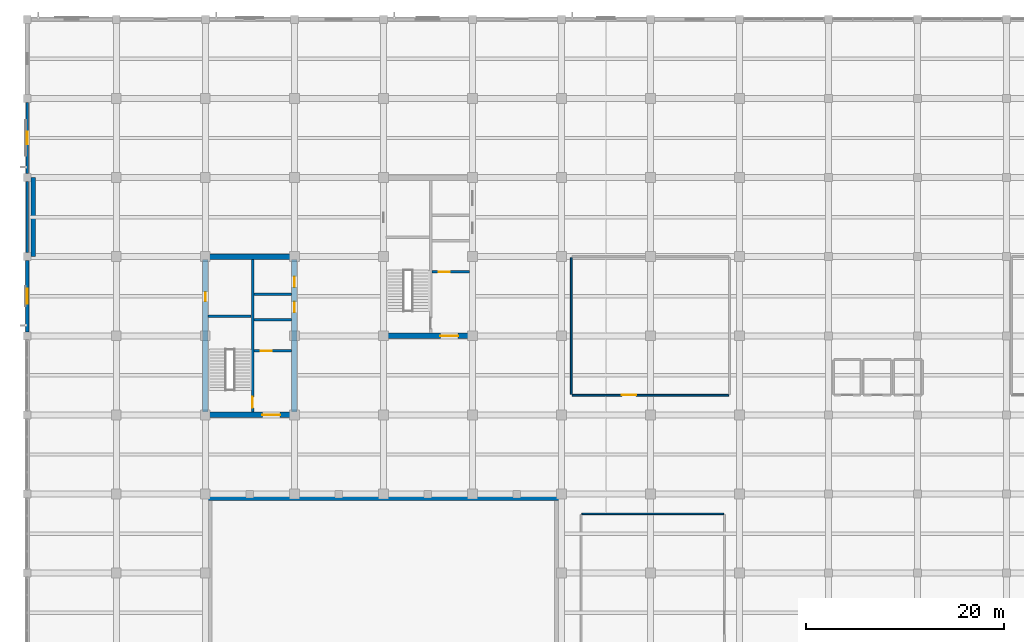
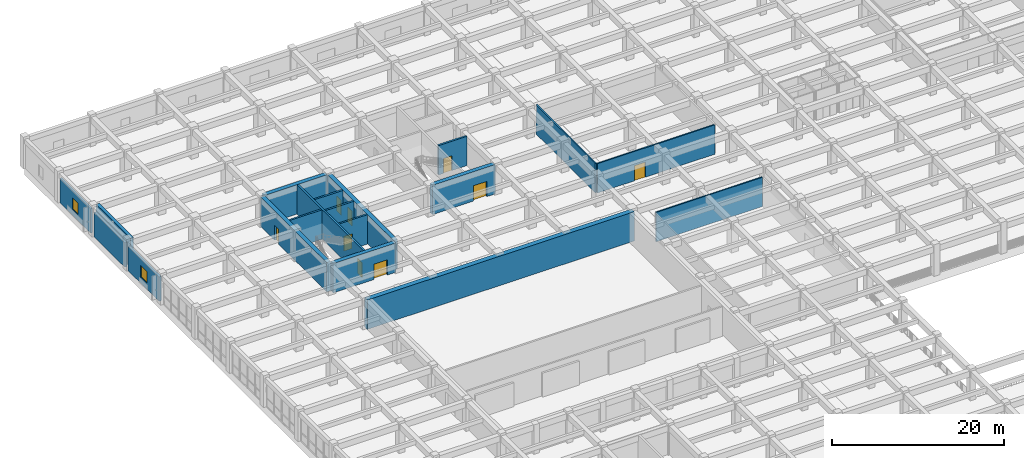
# One storey, part 29 of 50: 19 walls, 9 doors, 2 windows, 11 openings.
"""IFC4 building model written with IfcOpenShell, lengths in metres."""

from ifc_helpers import new_model, si_unit, direction, frame, frame_2d, origin, place, context, subcontext, project, spatial, rectangle, extrude, material, layer, layer_set, type_object, element, fill, save


model = new_model("IFC4")

# Units and contexts
model_context = context("Model", 3, precision=1e-05, world=origin(), true_north=direction((0.0, 1.0)))
body_context = subcontext(model_context, "Body", "Model", "MODEL_VIEW")
ifc_project = project(units=[si_unit("LENGTHUNIT", "METRE"), si_unit("AREAUNIT", "SQUARE_METRE"), si_unit("VOLUMEUNIT", "CUBIC_METRE"), si_unit("PLANEANGLEUNIT", "RADIAN"), si_unit("MASSUNIT", "GRAM", prefix="KILO")], contexts=[model_context])

# Site, building, storey
site_placement = place(None, origin())
site = spatial("IfcSite", under=ifc_project, at=site_placement, CompositionType="ELEMENT")
building_placement = place(site_placement, origin())
building = spatial("IfcBuilding", under=site, at=building_placement, Name="Zaverband Oceanarium and Marine Research Institute", CompositionType="ELEMENT")
storey_placement = place(building_placement, frame((0.0, 0.0, 4.5)))
storey = spatial("IfcBuildingStorey", under=building, at=storey_placement, Name="L01", CompositionType="ELEMENT", Elevation=4.5)

# Wall, opening, door
ifc_material_1 = material(Name="Concrete C50/60", Category="concrete")
ifc_layer_1 = layer(ifc_material_1, 0.550048828125, Name="Concrete C50/60")
ifc_layer_set_1 = layer_set([ifc_layer_1], Name="Concrete C50/60")
wall_type_1 = type_object("IfcWallType", Name="CW-01", PredefinedType="SHEAR", material=ifc_layer_set_1)
wall_1_placement = place(storey_placement, frame((18.27490234375, 80.0, 0.0), z_axis=(0.0, 0.0, 1.0), x_axis=(1.0, 0.0, 0.0)))
wall_1 = element("IfcWall", 1, at=wall_1_placement, inside=storey, type_object=wall_type_1, Name="Structural shear wall CW-01", PredefinedType="SHEAR", context=body_context, shape_type="SweptSolid", body=[
    extrude(rectangle(XDim=8.4501953125, YDim=0.550048828125, at=frame_2d((4.22509765625, 0.0))), origin(), (0.0, 0.0, 1.0), 4.179931640625),
])
opening_1_placement = place(wall_1_placement, frame((5.5, 0.0, 0.0)))
opening_1 = element("IfcOpeningElement", 2, at=opening_1_placement, cuts=wall_1, Name="Opening FD-02", PredefinedType="OPENING", context=body_context, shape_type="SweptSolid", body=[
    extrude(rectangle(XDim=1.800048828125, YDim=2.179931640625, at=frame_2d((0.89990234375, 1.08984375))), frame((0.0, 0.287109375, 0.0), z_axis=(0.0, -1.0, 0.0), x_axis=(1.0, 0.0, 0.0)), (0.0, 0.0, 1.0), 0.573974609375),
])
ifc_material_2 = material(Name="Steel S355", Category="steel")
door_type_1 = type_object("IfcDoorType", Name="FD-02", OperationType="DOUBLE_DOOR_SINGLE_SWING", PredefinedType="DOOR", material=ifc_material_2)
door_1_placement = place(opening_1_placement, origin())
door_1 = element("IfcDoor", 3, at=door_1_placement, inside=storey, type_object=door_type_1, Name="Protected lobby double fire door FD-02", OperationType="DOUBLE_DOOR_SINGLE_SWING", OverallHeight=2.179931640625, OverallWidth=1.800048828125, PredefinedType="DOOR", context=body_context, shape_type="SweptSolid", body=[
    extrude(rectangle(XDim=1.800048828125, YDim=2.179931640625, at=frame_2d((0.89990234375, 1.08984375))), frame((0.0, 0.02490234375, 0.0), z_axis=(0.0, -1.0, 0.0), x_axis=(1.0, 0.0, 0.0)), (0.0, 0.0, 1.0), 0.050048828125),
])
fill(opening_1, door_1)

# Wall
wall_2_placement = place(storey_placement, frame((18.27490234375, 96.0, 0.0), z_axis=(0.0, 0.0, 1.0), x_axis=(1.0, 0.0, 0.0)))
element("IfcWall", 4, at=wall_2_placement, inside=storey, type_object=wall_type_1, Name="Structural shear wall CW-01", PredefinedType="SHEAR", context=body_context, shape_type="SweptSolid", body=[
    extrude(rectangle(XDim=8.4501953125, YDim=0.550048828125, at=frame_2d((4.22509765625, 0.0))), origin(), (0.0, 0.0, 1.0), 4.179931640625),
])

# Wall, opening, door
wall_3_placement = place(storey_placement, frame((18.0, 80.27490234375, 0.0), z_axis=(0.0, 0.0, 1.0), x_axis=(0.0, 1.0, 0.0)))
wall_3 = element("IfcWall", 5, at=wall_3_placement, inside=storey, type_object=wall_type_1, Name="Structural shear wall CW-01", PredefinedType="SHEAR", context=body_context, shape_type="SweptSolid", body=[
    extrude(rectangle(XDim=15.4501953125, YDim=0.550048828125, at=frame_2d((7.72509765625, 0.0))), origin(), (0.0, 0.0, 1.0), 4.179931640625),
])
opening_2_placement = place(wall_3_placement, frame((11.199951171875, 0.0, 0.0)))
opening_2 = element("IfcOpeningElement", 6, at=opening_2_placement, cuts=wall_3, Name="Opening FD-03", PredefinedType="OPENING", context=body_context, shape_type="SweptSolid", body=[
    extrude(rectangle(XDim=0.949951171875, YDim=2.10009765625, at=frame_2d((0.47509765625, 1.050048828125))), frame((0.0, 0.287109375, 0.0), z_axis=(0.0, -1.0, 0.0), x_axis=(1.0, 0.0, 0.0)), (0.0, 0.0, 1.0), 0.573974609375),
])
door_type_2 = type_object("IfcDoorType", Name="FD-03", OperationType="NOTDEFINED", PredefinedType="DOOR", material=ifc_material_2)
door_2_placement = place(opening_2_placement, origin())
door_2 = element("IfcDoor", 7, at=door_2_placement, inside=storey, type_object=door_type_2, Name="Service riser access fire door FD-03", OperationType="SINGLE_SWING_RIGHT", OverallHeight=2.10009765625, OverallWidth=0.949951171875, PredefinedType="DOOR", context=body_context, shape_type="SweptSolid", body=[
    extrude(rectangle(XDim=0.949951171875, YDim=2.10009765625, at=frame_2d((0.47509765625, 1.050048828125))), frame((0.0, 0.02490234375, 0.0), z_axis=(0.0, -1.0, 0.0), x_axis=(1.0, 0.0, 0.0)), (0.0, 0.0, 1.0), 0.050048828125),
])
fill(opening_2, door_2)

# Wall, openings, doors
wall_4_placement = place(storey_placement, frame((27.0, 80.27490234375, 0.0), z_axis=(0.0, 0.0, 1.0), x_axis=(0.0, 1.0, 0.0)))
wall_4 = element("IfcWall", 8, at=wall_4_placement, inside=storey, type_object=wall_type_1, Name="Structural shear wall CW-01", PredefinedType="SHEAR", context=body_context, shape_type="SweptSolid", body=[
    extrude(rectangle(XDim=15.4501953125, YDim=0.550048828125, at=frame_2d((7.72509765625, 0.0))), origin(), (0.0, 0.0, 1.0), 4.179931640625),
])
opening_3_placement = place(wall_4_placement, frame((10.10009765625, 0.0, 0.0)))
opening_3 = element("IfcOpeningElement", 9, at=opening_3_placement, cuts=wall_4, Name="Opening LD-02", PredefinedType="OPENING", context=body_context, shape_type="SweptSolid", body=[
    extrude(rectangle(XDim=1.050048828125, YDim=2.1201171875, at=frame_2d((0.52490234375, 1.06005859375))), frame((0.0, 0.287109375, 0.0), z_axis=(0.0, -1.0, 0.0), x_axis=(1.0, 0.0, 0.0)), (0.0, 0.0, 1.0), 0.573974609375),
])
opening_4_placement = place(wall_4_placement, frame((12.64990234375, 0.0, 0.0)))
opening_4 = element("IfcOpeningElement", 10, at=opening_4_placement, cuts=wall_4, Name="Opening LD-02", PredefinedType="OPENING", context=body_context, shape_type="SweptSolid", body=[
    extrude(rectangle(XDim=1.050048828125, YDim=2.1201171875, at=frame_2d((0.52490234375, 1.06005859375))), frame((0.0, 0.287109375, 0.0), z_axis=(0.0, -1.0, 0.0), x_axis=(1.0, 0.0, 0.0)), (0.0, 0.0, 1.0), 0.573974609375),
])
door_type_3 = type_object("IfcDoorType", Name="LD-02", OperationType="DOUBLE_DOOR_SLIDING", PredefinedType="DOOR", material=ifc_material_2)
door_3_placement = place(opening_3_placement, origin())
door_3 = element("IfcDoor", 11, at=door_3_placement, inside=storey, type_object=door_type_3, Name="Passenger lift sliding landing door LD-02", OperationType="DOUBLE_DOOR_SLIDING", OverallHeight=2.1201171875, OverallWidth=1.050048828125, PredefinedType="DOOR", context=body_context, shape_type="SweptSolid", body=[
    extrude(rectangle(XDim=1.050048828125, YDim=2.1201171875, at=frame_2d((0.52490234375, 1.06005859375))), frame((0.0, 0.02490234375, 0.0), z_axis=(0.0, -1.0, 0.0), x_axis=(1.0, 0.0, 0.0)), (0.0, 0.0, 1.0), 0.050048828125),
])
fill(opening_3, door_3)
door_4_placement = place(opening_4_placement, origin())
door_4 = element("IfcDoor", 12, at=door_4_placement, inside=storey, type_object=door_type_3, Name="Passenger lift sliding landing door LD-02", OperationType="DOUBLE_DOOR_SLIDING", OverallHeight=2.1201171875, OverallWidth=1.050048828125, PredefinedType="DOOR", context=body_context, shape_type="SweptSolid", body=[
    extrude(rectangle(XDim=1.050048828125, YDim=2.1201171875, at=frame_2d((0.52490234375, 1.06005859375))), frame((0.0, 0.02490234375, 0.0), z_axis=(0.0, -1.0, 0.0), x_axis=(1.0, 0.0, 0.0)), (0.0, 0.0, 1.0), 0.050048828125),
])
fill(opening_4, door_4)

# Wall, opening, door
wall_5_placement = place(storey_placement, frame((36.27490234375, 88.0, 0.0), z_axis=(0.0, 0.0, 1.0), x_axis=(1.0, 0.0, 0.0)))
wall_5 = element("IfcWall", 13, at=wall_5_placement, inside=storey, type_object=wall_type_1, Name="Structural shear wall CW-01", PredefinedType="SHEAR", context=body_context, shape_type="SweptSolid", body=[
    extrude(rectangle(XDim=8.4501953125, YDim=0.550048828125, at=frame_2d((4.22509765625, 0.0))), origin(), (0.0, 0.0, 1.0), 4.179931640625),
])
opening_5_placement = place(wall_5_placement, frame((5.5, 0.0, 0.0)))
opening_5 = element("IfcOpeningElement", 14, at=opening_5_placement, cuts=wall_5, Name="Opening FD-02", PredefinedType="OPENING", context=body_context, shape_type="SweptSolid", body=[
    extrude(rectangle(XDim=1.800048828125, YDim=2.179931640625, at=frame_2d((0.89990234375, 1.08984375))), frame((0.0, 0.287109375, 0.0), z_axis=(0.0, -1.0, 0.0), x_axis=(1.0, 0.0, 0.0)), (0.0, 0.0, 1.0), 0.573974609375),
])
door_5_placement = place(opening_5_placement, origin())
door_5 = element("IfcDoor", 15, at=door_5_placement, inside=storey, type_object=door_type_1, Name="Protected lobby double fire door FD-02", OperationType="DOUBLE_DOOR_SINGLE_SWING", OverallHeight=2.179931640625, OverallWidth=1.800048828125, PredefinedType="DOOR", context=body_context, shape_type="SweptSolid", body=[
    extrude(rectangle(XDim=1.800048828125, YDim=2.179931640625, at=frame_2d((0.89990234375, 1.08984375))), frame((0.0, 0.02490234375, 0.0), z_axis=(0.0, -1.0, 0.0), x_axis=(1.0, 0.0, 0.0)), (0.0, 0.0, 1.0), 0.050048828125),
])
fill(opening_5, door_5)

# Wall, opening, window
ifc_material_3 = material(Name="Concrete C40/50 precast", Category="concrete")
ifc_layer_2 = layer(ifc_material_3, 0.264892578125, Name="Concrete C40/50 precast")
ifc_layer_set_2 = layer_set([ifc_layer_2], Name="Concrete C40/50 precast")
wall_type_2 = type_object("IfcWallType", Name="EW-265", PredefinedType="STANDARD", material=ifc_layer_set_2)
wall_6_placement = place(storey_placement, frame((0.0, 104.405029296875, 0.0), z_axis=(0.0, 0.0, 1.0), x_axis=(0.0, 1.0, 0.0)))
wall_6 = element("IfcWall", 16, at=wall_6_placement, inside=storey, type_object=wall_type_2, Name="Exterior infill wall EW-265", PredefinedType="STANDARD", context=body_context, shape_type="SweptSolid", body=[
    extrude(rectangle(XDim=7.18994140625, YDim=0.264892578125, at=frame_2d((3.594970703125, 0.0))), origin(), (0.0, 0.0, 1.0), 3.4599609375),
])
opening_6_placement = place(wall_6_placement, frame((2.945068359375, 0.0, 0.85009765625)))
opening_6 = element("IfcOpeningElement", 17, at=opening_6_placement, cuts=wall_6, Name="Opening WN-1300x1650", PredefinedType="OPENING", context=body_context, shape_type="SweptSolid", body=[
    extrude(rectangle(XDim=1.300048828125, YDim=1.64990234375, at=frame_2d((0.64990234375, 0.824951171875))), frame((0.0, 0.14453125, 0.0), z_axis=(0.0, -1.0, 0.0), x_axis=(1.0, 0.0, 0.0)), (0.0, 0.0, 1.0), 0.288818359375),
])
ifc_material_4 = material(Name="Thermally broken anodized aluminium and solar-control glass", Category="aluminium")
window_type_1 = type_object("IfcWindowType", Name="WN-1300x1650", PartitioningType="SINGLE_PANEL", PredefinedType="WINDOW", material=ifc_material_4)
window_1_placement = place(opening_6_placement, origin())
window_1 = element("IfcWindow", 18, at=window_1_placement, inside=storey, type_object=window_type_1, Name="Fixed / casement exterior window WN-1300x1650", OverallHeight=1.64990234375, OverallWidth=1.300048828125, PartitioningType="SINGLE_PANEL", PredefinedType="WINDOW", context=body_context, shape_type="SweptSolid", body=[
    extrude(rectangle(XDim=1.300048828125, YDim=1.64990234375, at=frame_2d((0.64990234375, 0.824951171875))), frame((0.0, 0.030029296875, 0.0), z_axis=(0.0, -1.0, 0.0), x_axis=(1.0, 0.0, 0.0)), (0.0, 0.0, 1.0), 0.06005859375),
])
fill(opening_6, window_1)

# Wall
ifc_layer_3 = layer(ifc_material_3, 0.2900390625, Name="Concrete C40/50 precast")
ifc_layer_set_3 = layer_set([ifc_layer_3], Name="Concrete C40/50 precast")
wall_type_3 = type_object("IfcWallType", Name="EW-290", PredefinedType="STANDARD", material=ifc_layer_set_3)
wall_7_placement = place(storey_placement, frame((0.0, 96.405029296875, 0.0), z_axis=(0.0, 0.0, 1.0), x_axis=(0.0, 1.0, 0.0)))
element("IfcWall", 19, at=wall_7_placement, inside=storey, type_object=wall_type_3, Name="Exterior infill wall EW-290", PredefinedType="STANDARD", context=body_context, shape_type="SweptSolid", body=[
    extrude(rectangle(XDim=7.18994140625, YDim=0.2900390625, at=frame_2d((3.594970703125, 0.0))), origin(), (0.0, 0.0, 1.0), 3.4599609375),
])

# Wall, opening, window
ifc_layer_4 = layer(ifc_material_3, 0.31005859375, Name="Concrete C40/50 precast")
ifc_layer_set_4 = layer_set([ifc_layer_4], Name="Concrete C40/50 precast")
wall_type_4 = type_object("IfcWallType", Name="EW-310", PredefinedType="STANDARD", material=ifc_layer_set_4)
wall_8_placement = place(storey_placement, frame((0.0, 88.405029296875, 0.0), z_axis=(0.0, 0.0, 1.0), x_axis=(0.0, 1.0, 0.0)))
wall_8 = element("IfcWall", 20, at=wall_8_placement, inside=storey, type_object=wall_type_4, Name="Exterior infill wall EW-310", PredefinedType="STANDARD", context=body_context, shape_type="SweptSolid", body=[
    extrude(rectangle(XDim=7.18994140625, YDim=0.31005859375, at=frame_2d((3.594970703125, 0.0))), origin(), (0.0, 0.0, 1.0), 3.4599609375),
])
opening_7_placement = place(wall_8_placement, frame((2.844970703125, 0.0, 0.85009765625)))
opening_7 = element("IfcOpeningElement", 21, at=opening_7_placement, cuts=wall_8, Name="Opening WN-1500x1650", PredefinedType="OPENING", context=body_context, shape_type="SweptSolid", body=[
    extrude(rectangle(XDim=1.5, YDim=1.64990234375, at=frame_2d((0.75, 0.824951171875))), frame((0.0, 0.1669921875, 0.0), z_axis=(0.0, -1.0, 0.0), x_axis=(1.0, 0.0, 0.0)), (0.0, 0.0, 1.0), 0.333984375),
])
window_type_2 = type_object("IfcWindowType", Name="WN-1500x1650", PartitioningType="SINGLE_PANEL", PredefinedType="WINDOW", material=ifc_material_4)
window_2_placement = place(opening_7_placement, origin())
window_2 = element("IfcWindow", 22, at=window_2_placement, inside=storey, type_object=window_type_2, Name="Fixed / casement exterior window WN-1500x1650", OverallHeight=1.64990234375, OverallWidth=1.5, PartitioningType="SINGLE_PANEL", PredefinedType="WINDOW", context=body_context, shape_type="SweptSolid", body=[
    extrude(rectangle(XDim=1.5, YDim=1.64990234375, at=frame_2d((0.75, 0.824951171875))), frame((0.0, 0.030029296875, 0.0), z_axis=(0.0, -1.0, 0.0), x_axis=(1.0, 0.0, 0.0)), (0.0, 0.0, 1.0), 0.06005859375),
])
fill(opening_7, window_2)

# Wall
ifc_material_5 = material(Name="Corridor rated drywall partition")
ifc_layer_5 = layer(ifc_material_5, 0.1650390625, Name="Corridor rated drywall partition")
ifc_layer_set_5 = layer_set([ifc_layer_5], Name="Corridor rated drywall partition")
wall_type_5 = type_object("IfcWallType", Name="PT-165-CR", PredefinedType="PARTITIONING", material=ifc_layer_set_5)
wall_9_placement = place(storey_placement, frame((56.08251953125, 70.0, 0.0), z_axis=(0.0, 0.0, 1.0), x_axis=(1.0, 0.0, 0.0)))
element("IfcWall", 23, at=wall_9_placement, inside=storey, type_object=wall_type_5, Name="Internal partition PT-165-CR", PredefinedType="PARTITIONING", context=body_context, shape_type="SweptSolid", body=[
    extrude(rectangle(XDim=14.3349609375, YDim=0.1650390625, at=frame_2d((7.16748046875, 0.0))), origin(), (0.0, 0.0, 1.0), 4.179931640625),
])

# Wall, opening, door
ifc_material_6 = material(Name="Moisture-resistant laboratory blockwork", Category="masonry")
ifc_layer_6 = layer(ifc_material_6, 0.179931640625, Name="Moisture-resistant laboratory blockwork")
ifc_layer_set_6 = layer_set([ifc_layer_6], Name="Moisture-resistant laboratory blockwork")
wall_type_6 = type_object("IfcWallType", Name="PT-180-LB", PredefinedType="PARTITIONING", material=ifc_layer_set_6)
wall_10_placement = place(storey_placement, frame((55.090087890625, 82.0, 0.0), z_axis=(0.0, 0.0, 1.0), x_axis=(1.0, 0.0, 0.0)))
wall_10 = element("IfcWall", 24, at=wall_10_placement, inside=storey, type_object=wall_type_6, Name="Internal partition PT-180-LB", PredefinedType="PARTITIONING", context=body_context, shape_type="SweptSolid", body=[
    extrude(rectangle(XDim=15.81982421875, YDim=0.179931640625, at=frame_2d((7.909912109375, 0.0))), origin(), (0.0, 0.0, 1.0), 4.179931640625),
])
opening_8_placement = place(wall_10_placement, frame((5.02587890625, 0.0, 0.0)))
opening_8 = element("IfcOpeningElement", 25, at=opening_8_placement, cuts=wall_10, Name="Opening ID-1460x2150", PredefinedType="OPENING", context=body_context, shape_type="SweptSolid", body=[
    extrude(rectangle(XDim=1.4599609375, YDim=2.14990234375, at=frame_2d((0.72998046875, 1.074951171875))), frame((0.0, 0.10205078125, 0.0), z_axis=(0.0, -1.0, 0.0), x_axis=(1.0, 0.0, 0.0)), (0.0, 0.0, 1.0), 0.203857421875),
])
ifc_material_7 = material(Name="Hardwood-veneered acoustic timber", Category="wood")
door_type_4 = type_object("IfcDoorType", Name="ID-1460x2150", OperationType="NOTDEFINED", PredefinedType="DOOR", material=ifc_material_7)
door_6_placement = place(opening_8_placement, origin())
door_6 = element("IfcDoor", 26, at=door_6_placement, inside=storey, type_object=door_type_4, Name="Wet laboratory leaf-and-a-half door ID-1460x2150", OperationType="SINGLE_SWING_RIGHT", OverallHeight=2.14990234375, OverallWidth=1.4599609375, PredefinedType="DOOR", context=body_context, shape_type="SweptSolid", body=[
    extrude(rectangle(XDim=1.4599609375, YDim=2.14990234375, at=frame_2d((0.72998046875, 1.074951171875))), frame((0.0, 0.02490234375, 0.0), z_axis=(0.0, -1.0, 0.0), x_axis=(1.0, 0.0, 0.0)), (0.0, 0.0, 1.0), 0.050048828125),
])
fill(opening_8, door_6)

# Wall
wall_11_placement = place(storey_placement, frame((55.0, 82.090087890625, 0.0), z_axis=(0.0, 0.0, 1.0), x_axis=(0.0, 1.0, 0.0)))
element("IfcWall", 27, at=wall_11_placement, inside=storey, type_object=wall_type_6, Name="Internal partition PT-180-LB", PredefinedType="PARTITIONING", context=body_context, shape_type="SweptSolid", body=[
    extrude(rectangle(XDim=13.81982421875, YDim=0.179931640625, at=frame_2d((6.909912109375, 0.0))), origin(), (0.0, 0.0, 1.0), 4.179931640625),
])

# Wall, opening, door
ifc_layer_7 = layer(ifc_material_1, 0.25, Name="Concrete C50/60")
ifc_layer_set_7 = layer_set([ifc_layer_7], Name="Concrete C50/60")
wall_type_7 = type_object("IfcWallType", Name="PW-CORE-250", PredefinedType="SOLIDWALL", material=ifc_layer_set_7)
wall_12_placement = place(storey_placement, frame((22.77490234375, 80.27490234375, 0.0), z_axis=(0.0, 0.0, 1.0), x_axis=(0.0, 1.0, 0.0)))
wall_12 = element("IfcWall", 28, at=wall_12_placement, inside=storey, type_object=wall_type_7, Name="Structural concrete wall PW-CORE-250", PredefinedType="SOLIDWALL", context=body_context, shape_type="SweptSolid", body=[
    extrude(rectangle(XDim=15.4501953125, YDim=0.25, at=frame_2d((7.72509765625, 0.0))), origin(), (0.0, 0.0, 1.0), 4.179931640625),
])
opening_9_placement = place(wall_12_placement, frame((0.449951171875, 0.0, 0.0)))
opening_9 = element("IfcOpeningElement", 29, at=opening_9_placement, cuts=wall_12, Name="Opening FD-01", PredefinedType="OPENING", context=body_context, shape_type="SweptSolid", body=[
    extrude(rectangle(XDim=1.10009765625, YDim=2.14990234375, at=frame_2d((0.550048828125, 1.074951171875))), frame((0.0, 0.136962890625, 0.0), z_axis=(0.0, -1.0, 0.0), x_axis=(1.0, 0.0, 0.0)), (0.0, 0.0, 1.0), 0.27392578125),
])
door_type_5 = type_object("IfcDoorType", Name="FD-01", OperationType="NOTDEFINED", PredefinedType="DOOR", material=ifc_material_2)
door_7_placement = place(opening_9_placement, origin())
door_7 = element("IfcDoor", 30, at=door_7_placement, inside=storey, type_object=door_type_5, Name="Core stair / lobby fire door FD-01", OperationType="SINGLE_SWING_RIGHT", OverallHeight=2.14990234375, OverallWidth=1.10009765625, PredefinedType="DOOR", context=body_context, shape_type="SweptSolid", body=[
    extrude(rectangle(XDim=1.10009765625, YDim=2.14990234375, at=frame_2d((0.550048828125, 1.074951171875))), frame((0.0, 0.02490234375, 0.0), z_axis=(0.0, -1.0, 0.0), x_axis=(1.0, 0.0, 0.0)), (0.0, 0.0, 1.0), 0.050048828125),
])
fill(opening_9, door_7)

# Wall
wall_13_placement = place(storey_placement, frame((18.27490234375, 89.97509765625, 0.0), z_axis=(0.0, 0.0, 1.0), x_axis=(1.0, 0.0, 0.0)))
element("IfcWall", 31, at=wall_13_placement, inside=storey, type_object=wall_type_7, Name="Structural concrete wall PW-CORE-250", PredefinedType="SOLIDWALL", context=body_context, shape_type="SweptSolid", body=[
    extrude(rectangle(XDim=4.3701171875, YDim=0.25, at=frame_2d((2.18505859375, 0.0))), origin(), (0.0, 0.0, 1.0), 4.179931640625),
])

# Wall, opening, door
wall_14_placement = place(storey_placement, frame((22.905029296875, 86.47509765625, 0.0), z_axis=(0.0, 0.0, 1.0), x_axis=(1.0, 0.0, 0.0)))
wall_14 = element("IfcWall", 32, at=wall_14_placement, inside=storey, type_object=wall_type_7, Name="Structural concrete wall PW-CORE-250", PredefinedType="SOLIDWALL", context=body_context, shape_type="SweptSolid", body=[
    extrude(rectangle(XDim=3.820068359375, YDim=0.25, at=frame_2d((1.91015625, 0.0))), origin(), (0.0, 0.0, 1.0), 4.179931640625),
])
opening_10_placement = place(wall_14_placement, frame((0.695068359375, 0.0, 0.0)))
opening_10 = element("IfcOpeningElement", 33, at=opening_10_placement, cuts=wall_14, Name="Opening LD-01", PredefinedType="OPENING", context=body_context, shape_type="SweptSolid", body=[
    extrude(rectangle(XDim=1.10009765625, YDim=2.1201171875, at=frame_2d((0.550048828125, 1.06005859375))), frame((0.0, 0.136962890625, 0.0), z_axis=(0.0, -1.0, 0.0), x_axis=(1.0, 0.0, 0.0)), (0.0, 0.0, 1.0), 0.27392578125),
])
door_type_6 = type_object("IfcDoorType", Name="LD-01", OperationType="DOUBLE_DOOR_SLIDING", PredefinedType="DOOR", material=ifc_material_2)
door_8_placement = place(opening_10_placement, origin())
door_8 = element("IfcDoor", 34, at=door_8_placement, inside=storey, type_object=door_type_6, Name="Firefighting lift sliding landing door LD-01", OperationType="DOUBLE_DOOR_SLIDING", OverallHeight=2.1201171875, OverallWidth=1.10009765625, PredefinedType="DOOR", context=body_context, shape_type="SweptSolid", body=[
    extrude(rectangle(XDim=1.10009765625, YDim=2.1201171875, at=frame_2d((0.550048828125, 1.06005859375))), frame((0.0, 0.02490234375, 0.0), z_axis=(0.0, -1.0, 0.0), x_axis=(1.0, 0.0, 0.0)), (0.0, 0.0, 1.0), 0.050048828125),
])
fill(opening_10, door_8)

# Walls
for number, where, z_axis, x_axis, name in (
    (35, (22.905029296875, 89.6298828125, 0.0), (0.0, 0.0, 1.0), (1.0, 0.0, 0.0), "Structural concrete wall PW-CORE-250"),
    (36, (22.905029296875, 92.179931640625, 0.0), (0.0, 0.0, 1.0), (1.0, 0.0, 0.0), "Structural concrete wall PW-CORE-250"),
):
    element("IfcWall", number, at=place(storey_placement, frame(where, z_axis=z_axis, x_axis=x_axis)), inside=storey, type_object=wall_type_7, Name=name, PredefinedType="SOLIDWALL", context=body_context, shape_type="SweptSolid", body=[
        extrude(rectangle(XDim=3.820068359375, YDim=0.25, at=frame_2d((1.91015625, 0.0))), origin(), (0.0, 0.0, 1.0), 4.179931640625),
    ])

# Wall, opening, door
wall_15_placement = place(storey_placement, frame((40.905029296875, 94.47509765625, 0.0), z_axis=(0.0, 0.0, 1.0), x_axis=(1.0, 0.0, 0.0)))
wall_15 = element("IfcWall", 37, at=wall_15_placement, inside=storey, type_object=wall_type_7, Name="Structural concrete wall PW-CORE-250", PredefinedType="SOLIDWALL", context=body_context, shape_type="SweptSolid", body=[
    extrude(rectangle(XDim=3.820068359375, YDim=0.25, at=frame_2d((1.91015625, 0.0))), origin(), (0.0, 0.0, 1.0), 4.179931640625),
])
opening_11_placement = place(wall_15_placement, frame((0.695068359375, 0.0, 0.0)))
opening_11 = element("IfcOpeningElement", 38, at=opening_11_placement, cuts=wall_15, Name="Opening LD-01", PredefinedType="OPENING", context=body_context, shape_type="SweptSolid", body=[
    extrude(rectangle(XDim=1.10009765625, YDim=2.1201171875, at=frame_2d((0.550048828125, 1.06005859375))), frame((0.0, 0.136962890625, 0.0), z_axis=(0.0, -1.0, 0.0), x_axis=(1.0, 0.0, 0.0)), (0.0, 0.0, 1.0), 0.27392578125),
])
door_9_placement = place(opening_11_placement, origin())
door_9 = element("IfcDoor", 39, at=door_9_placement, inside=storey, type_object=door_type_6, Name="Firefighting lift sliding landing door LD-01", OperationType="DOUBLE_DOOR_SLIDING", OverallHeight=2.1201171875, OverallWidth=1.10009765625, PredefinedType="DOOR", context=body_context, shape_type="SweptSolid", body=[
    extrude(rectangle(XDim=1.10009765625, YDim=2.1201171875, at=frame_2d((0.550048828125, 1.06005859375))), frame((0.0, 0.02490234375, 0.0), z_axis=(0.0, -1.0, 0.0), x_axis=(1.0, 0.0, 0.0)), (0.0, 0.0, 1.0), 0.050048828125),
])
fill(opening_11, door_9)

# Walls
ifc_layer_8 = layer(ifc_material_1, 0.419921875, Name="Concrete C50/60")
ifc_layer_set_8 = layer_set([ifc_layer_8], Name="Concrete C50/60")
wall_type_8 = type_object("IfcWallType", Name="SW-01", PredefinedType="SHEAR", material=ifc_layer_set_8)
wall_16_placement = place(storey_placement, frame((0.60009765625, 96.0, 0.0), z_axis=(0.0, 0.0, 1.0), x_axis=(0.0, 1.0, 0.0)))
element("IfcWall", 40, at=wall_16_placement, inside=storey, type_object=wall_type_8, Name="Structural shear wall SW-01", PredefinedType="SHEAR", context=body_context, shape_type="SweptSolid", body=[
    extrude(rectangle(XDim=8.0, YDim=0.419921875, at=frame_2d((4.0, 0.0))), origin(), (0.0, 0.0, 1.0), 4.179931640625),
])
ifc_material_8 = material(Name="Concrete C45/55", Category="concrete")
ifc_layer_9 = layer(ifc_material_8, 0.64990234375, Name="Concrete C45/55")
ifc_layer_set_9 = layer_set([ifc_layer_9], Name="Concrete C45/55")
wall_type_9 = type_object("IfcWallType", Name="TW-01", PredefinedType="SHEAR", material=ifc_layer_set_9)
wall_17_placement = place(storey_placement, frame((18.02490234375, 71.64990234375, 0.0), z_axis=(0.0, 0.0, 1.0), x_axis=(1.0, 0.0, 0.0)))
element("IfcWall", 41, at=wall_17_placement, inside=storey, type_object=wall_type_9, Name="Marine tank wall TW-01", PredefinedType="SHEAR", context=body_context, shape_type="SweptSolid", body=[
    extrude(rectangle(XDim=35.9501953125, YDim=0.64990234375, at=frame_2d((17.97509765625, 0.0))), origin(), (0.0, 0.0, 1.0), 4.179931640625),
])

save(model, "model.ifc")
